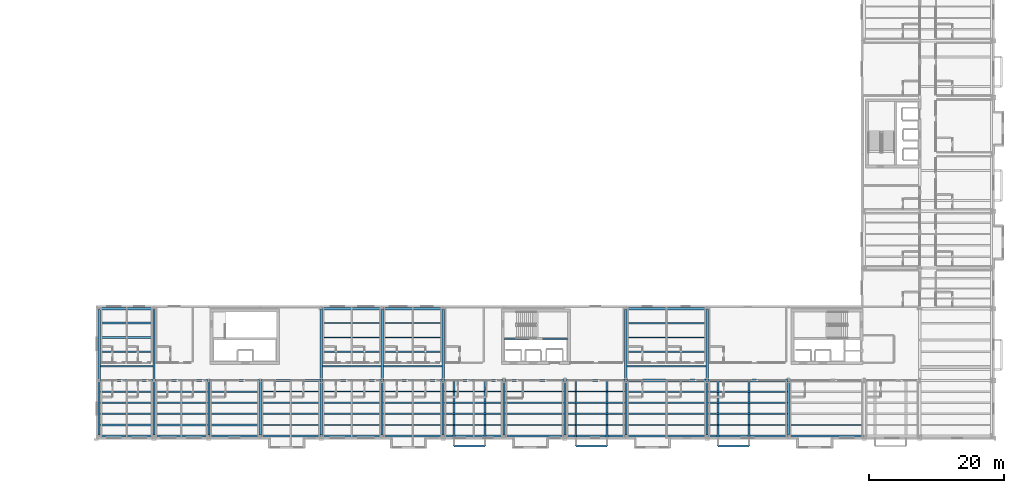
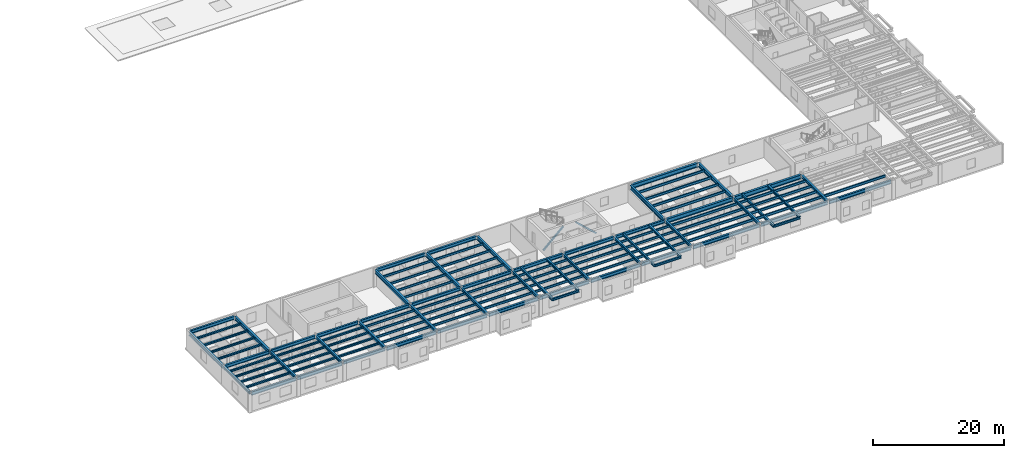
# One storey, part 7 of 27: 116 beams, 2 members.
"""IFC4 building model written with IfcOpenShell, lengths in metres."""

from ifc_helpers import new_model, si_unit, direction, frame, origin, origin_2d, place, context, subcontext, project, spatial, hollow_rectangle, i_section, extrude, material, material_profile, profile_set, type_object, element, save


model = new_model("IFC4")

# Units and contexts
model_context = context("Model", 3, precision=1e-05, world=origin(), true_north=direction((0.0, 1.0)))
body_context = subcontext(model_context, "Body", "Model", "MODEL_VIEW")
ifc_project = project(units=[si_unit("LENGTHUNIT", "METRE"), si_unit("AREAUNIT", "SQUARE_METRE"), si_unit("VOLUMEUNIT", "CUBIC_METRE"), si_unit("PLANEANGLEUNIT", "RADIAN"), si_unit("MASSUNIT", "GRAM", prefix="KILO")], contexts=[model_context])

# Site, building, storey
site_placement = place(None, origin())
site = spatial("IfcSite", under=ifc_project, at=site_placement, CompositionType="ELEMENT")
building_placement = place(site_placement, origin())
building = spatial("IfcBuilding", under=site, at=building_placement, Name="Sollismere Congress Hotel", CompositionType="ELEMENT")
storey_placement = place(building_placement, frame((0.0, 0.0, 27.0)))
storey = spatial("IfcBuildingStorey", under=building, at=storey_placement, Name="L06", CompositionType="ELEMENT", Elevation=27.0)

# Beams
ifc_material_1 = material(Name="Steel ASTM A992 Grade 50", Category="steel")
ifc_material_profile_1 = material_profile(ifc_material_1, i_section(OverallWidth=0.281982421875, OverallDepth=0.471923828125, WebThickness=0.013671875, FlangeThickness=0.022216796875, at=origin_2d()), Name="W18X97")
ifc_profile_set_1 = profile_set([ifc_material_profile_1], Name="Steel ASTM A992 Grade 50")
beam_type_1 = type_object("IfcBeamType", Name="BM-CK18E", PredefinedType="BEAM", material=ifc_profile_set_1)
for number, where, z_axis, x_axis, name in (
    (1, (86.60009765625, 8.199951171875, 3.0791015625), (0.0, -1.0, 0.0), (1.0, 0.0, 0.0), "Beam BM-L06-3972"),
    (2, (91.199951171875, 8.199951171875, 3.0791015625), (0.0, -1.0, 0.0), (1.0, 0.0, 0.0), "Beam BM-L06-3973"),
    (3, (104.60009765625, 8.199951171875, 3.0791015625), (0.0, -1.0, 0.0), (1.0, 0.0, 0.0), "Beam BM-L06-3975"),
    (4, (109.199951171875, 8.199951171875, 3.0791015625), (0.0, -1.0, 0.0), (1.0, 0.0, 0.0), "Beam BM-L06-3976"),
    (5, (125.60009765625, 8.199951171875, 3.0791015625), (0.0, -1.0, 0.0), (1.0, 0.0, 0.0), "Beam BM-L06-3978"),
    (6, (130.199951171875, 8.199951171875, 3.0791015625), (0.0, -1.0, 0.0), (1.0, 0.0, 0.0), "Beam BM-L06-3979"),
):
    element("IfcBeam", number, at=place(storey_placement, frame(where, z_axis=z_axis, x_axis=x_axis)), inside=storey, type_object=beam_type_1, Name=name, PredefinedType="BEAM", context=body_context, shape_type="SweptSolid", body=[
        extrude(i_section(OverallWidth=0.281982421875, OverallDepth=0.471923828125, WebThickness=0.013671875, FlangeThickness=0.022216796875, at=origin_2d()), origin(), (0.0, 0.0, 1.0), 9.68994140625),
    ])
ifc_material_profile_2 = material_profile(ifc_material_1, i_section(OverallWidth=0.31494140625, OverallDepth=0.551025390625, WebThickness=0.01513671875, FlangeThickness=0.0244140625, at=origin_2d()), Name="W21X122")
ifc_profile_set_2 = profile_set([ifc_material_profile_2], Name="Steel ASTM A992 Grade 50")
beam_type_2 = type_object("IfcBeamType", Name="BM-G21H", PredefinedType="BEAM", material=ifc_profile_set_2)
for number, where, z_axis, x_axis, name in (
    (7, (34.199951171875, 0.139892578125, 3.03955078125), (0.0, 1.0, 0.0), (-1.0, 0.0, 0.0), "Beam BM-L06-3144"),
    (8, (42.300048828125, 0.139892578125, 3.03955078125), (0.0, 1.0, 0.0), (-1.0, 0.0, 0.0), "Beam BM-L06-3146"),
    (9, (50.39990234375, 0.139892578125, 3.03955078125), (0.0, 1.0, 0.0), (-1.0, 0.0, 0.0), "Beam BM-L06-3148"),
    (10, (58.0, 0.139892578125, 3.03955078125), (0.0, 1.0, 0.0), (-1.0, 0.0, 0.0), "Beam BM-L06-3149"),
    (11, (67.0, 0.139892578125, 3.03955078125), (0.0, 1.0, 0.0), (-1.0, 0.0, 0.0), "Beam BM-L06-3150"),
    (12, (76.0, 0.139892578125, 3.03955078125), (0.0, 1.0, 0.0), (-1.0, 0.0, 0.0), "Beam BM-L06-3152"),
    (13, (85.0, 0.139892578125, 3.03955078125), (0.0, 1.0, 0.0), (-1.0, 0.0, 0.0), "Beam BM-L06-3154"),
    (14, (94.0, 0.139892578125, 3.03955078125), (0.0, 1.0, 0.0), (-1.0, 0.0, 0.0), "Beam BM-L06-3156"),
    (15, (103.0, 0.139892578125, 3.03955078125), (0.0, 1.0, 0.0), (-1.0, 0.0, 0.0), "Beam BM-L06-3157"),
    (16, (112.0, 0.139892578125, 3.03955078125), (0.0, 1.0, 0.0), (-1.0, 0.0, 0.0), "Beam BM-L06-3158"),
    (17, (124.0, 0.139892578125, 3.03955078125), (0.0, 1.0, 0.0), (-1.0, 0.0, 0.0), "Beam BM-L06-3160"),
    (18, (136.0, 0.139892578125, 3.03955078125), (0.0, 1.0, 0.0), (-1.0, 0.0, 0.0), "Beam BM-L06-3162"),
):
    element("IfcBeam", number, at=place(storey_placement, frame(where, z_axis=z_axis, x_axis=x_axis)), inside=storey, type_object=beam_type_2, Name=name, PredefinedType="BEAM", context=body_context, shape_type="SweptSolid", body=[
        extrude(i_section(OverallWidth=0.31494140625, OverallDepth=0.551025390625, WebThickness=0.01513671875, FlangeThickness=0.0244140625, at=origin_2d()), origin(), (0.0, 0.0, 1.0), 7.920166015625),
    ])
ifc_material_profile_3 = material_profile(ifc_material_1, i_section(OverallWidth=0.324951171875, OverallDepth=0.612060546875, WebThickness=0.0126953125, FlangeThickness=0.01904296875, at=origin_2d()), Name="W24X104")
ifc_profile_set_3 = profile_set([ifc_material_profile_3], Name="Steel ASTM A992 Grade 50")
beam_type_3 = type_object("IfcBeamType", Name="BM-G24", PredefinedType="BEAM", material=ifc_profile_set_3)
beam_1_placement = place(storey_placement, frame((34.3310546875, 8.199951171875, 3.009033203125), z_axis=(1.0, 0.0, 0.0), x_axis=(0.0, 1.0, 0.0)))
element("IfcBeam", 19, at=beam_1_placement, inside=storey, type_object=beam_type_3, Name="Beam BM-L06-3117", PredefinedType="BEAM", context=body_context, shape_type="SweptSolid", body=[
    extrude(i_section(OverallWidth=0.324951171875, OverallDepth=0.612060546875, WebThickness=0.0126953125, FlangeThickness=0.01904296875, at=origin_2d()), origin(), (0.0, 0.0, 1.0), 7.837890625),
])
beam_2_placement = place(storey_placement, frame((42.430908203125, 8.199951171875, 3.009033203125), z_axis=(1.0, 0.0, 0.0), x_axis=(0.0, 1.0, 0.0)))
element("IfcBeam", 20, at=beam_2_placement, inside=storey, type_object=beam_type_3, Name="Beam BM-L06-3118", PredefinedType="BEAM", context=body_context, shape_type="SweptSolid", body=[
    extrude(i_section(OverallWidth=0.324951171875, OverallDepth=0.612060546875, WebThickness=0.0126953125, FlangeThickness=0.01904296875, at=origin_2d()), origin(), (0.0, 0.0, 1.0), 7.838134765625),
])
beam_3_placement = place(storey_placement, frame((50.531005859375, 8.199951171875, 3.009033203125), z_axis=(1.0, 0.0, 0.0), x_axis=(0.0, 1.0, 0.0)))
element("IfcBeam", 21, at=beam_3_placement, inside=storey, type_object=beam_type_3, Name="Beam BM-L06-3119", PredefinedType="BEAM", context=body_context, shape_type="SweptSolid", body=[
    extrude(i_section(OverallWidth=0.324951171875, OverallDepth=0.612060546875, WebThickness=0.0126953125, FlangeThickness=0.01904296875, at=origin_2d()), origin(), (0.0, 0.0, 1.0), 7.337890625),
])
beam_4_placement = place(storey_placement, frame((58.131103515625, 8.199951171875, 3.009033203125), z_axis=(1.0, 0.0, 0.0), x_axis=(0.0, 1.0, 0.0)))
element("IfcBeam", 22, at=beam_4_placement, inside=storey, type_object=beam_type_3, Name="Beam BM-L06-3120", PredefinedType="BEAM", context=body_context, shape_type="SweptSolid", body=[
    extrude(i_section(OverallWidth=0.324951171875, OverallDepth=0.612060546875, WebThickness=0.0126953125, FlangeThickness=0.01904296875, at=origin_2d()), origin(), (0.0, 0.0, 1.0), 8.72900390625),
])
for number, where, z_axis, x_axis, name in (
    (23, (67.139892578125, 8.199951171875, 3.009033203125), (1.0, 0.0, 0.0), (0.0, 1.0, 0.0), "Beam BM-L06-3121"),
    (24, (76.139892578125, 8.199951171875, 3.009033203125), (1.0, 0.0, 0.0), (0.0, 1.0, 0.0), "Beam BM-L06-3122"),
    (25, (85.139892578125, 8.199951171875, 3.009033203125), (1.0, 0.0, 0.0), (0.0, 1.0, 0.0), "Beam BM-L06-3123"),
    (26, (94.139892578125, 8.199951171875, 3.009033203125), (1.0, 0.0, 0.0), (0.0, 1.0, 0.0), "Beam BM-L06-3124"),
    (27, (103.139892578125, 8.199951171875, 3.009033203125), (1.0, 0.0, 0.0), (0.0, 1.0, 0.0), "Beam BM-L06-3125"),
):
    element("IfcBeam", number, at=place(storey_placement, frame(where, z_axis=z_axis, x_axis=x_axis)), inside=storey, type_object=beam_type_3, Name=name, PredefinedType="BEAM", context=body_context, shape_type="SweptSolid", body=[
        extrude(i_section(OverallWidth=0.324951171875, OverallDepth=0.612060546875, WebThickness=0.0126953125, FlangeThickness=0.01904296875, at=origin_2d()), origin(), (0.0, 0.0, 1.0), 8.72021484375),
    ])
beam_5_placement = place(storey_placement, frame((34.3310546875, 18.800048828125, 3.009033203125), z_axis=(1.0, 0.0, 0.0), x_axis=(0.0, 1.0, 0.0)))
element("IfcBeam", 28, at=beam_5_placement, inside=storey, type_object=beam_type_3, Name="Beam BM-L06-3131", PredefinedType="BEAM", context=body_context, shape_type="SweptSolid", body=[
    extrude(i_section(OverallWidth=0.324951171875, OverallDepth=0.612060546875, WebThickness=0.0126953125, FlangeThickness=0.01904296875, at=origin_2d()), origin(), (0.0, 0.0, 1.0), 7.837890625),
])
for number, where, z_axis, x_axis, name in (
    (29, (67.139892578125, 18.800048828125, 3.009033203125), (1.0, 0.0, 0.0), (0.0, 1.0, 0.0), "Beam BM-L06-3132"),
    (30, (76.139892578125, 18.800048828125, 3.009033203125), (1.0, 0.0, 0.0), (0.0, 1.0, 0.0), "Beam BM-L06-3133"),
):
    element("IfcBeam", number, at=place(storey_placement, frame(where, z_axis=z_axis, x_axis=x_axis)), inside=storey, type_object=beam_type_3, Name=name, PredefinedType="BEAM", context=body_context, shape_type="SweptSolid", body=[
        extrude(i_section(OverallWidth=0.324951171875, OverallDepth=0.612060546875, WebThickness=0.0126953125, FlangeThickness=0.01904296875, at=origin_2d()), origin(), (0.0, 0.0, 1.0), 8.72021484375),
    ])
ifc_material_profile_4 = material_profile(ifc_material_1, i_section(OverallWidth=0.35595703125, OverallDepth=0.696044921875, WebThickness=0.015380859375, FlangeThickness=0.025146484375, at=origin_2d()), Name="W27X146")
ifc_profile_set_4 = profile_set([ifc_material_profile_4], Name="Steel ASTM A992 Grade 50")
beam_type_4 = type_object("IfcBeamType", Name="BM-G27", PredefinedType="BEAM", material=ifc_profile_set_4)
for number, where, z_axis, x_axis, name in (
    (31, (34.199951171875, 8.340087890625, 2.967041015625), (0.0, 1.0, 0.0), (-1.0, 0.0, 0.0), "Beam BM-L06-3145"),
    (32, (42.300048828125, 8.340087890625, 2.967041015625), (0.0, 1.0, 0.0), (-1.0, 0.0, 0.0), "Beam BM-L06-3147"),
    (33, (67.0, 8.340087890625, 2.967041015625), (0.0, 1.0, 0.0), (-1.0, 0.0, 0.0), "Beam BM-L06-3151"),
    (34, (76.0, 8.340087890625, 2.967041015625), (0.0, 1.0, 0.0), (-1.0, 0.0, 0.0), "Beam BM-L06-3153"),
    (35, (85.0, 8.340087890625, 2.967041015625), (0.0, 1.0, 0.0), (-1.0, 0.0, 0.0), "Beam BM-L06-3155"),
    (36, (112.0, 8.340087890625, 2.967041015625), (0.0, 1.0, 0.0), (-1.0, 0.0, 0.0), "Beam BM-L06-3159"),
    (37, (124.0, 8.340087890625, 2.967041015625), (0.0, 1.0, 0.0), (-1.0, 0.0, 0.0), "Beam BM-L06-3161"),
):
    element("IfcBeam", number, at=place(storey_placement, frame(where, z_axis=z_axis, x_axis=x_axis)), inside=storey, type_object=beam_type_4, Name=name, PredefinedType="BEAM", context=body_context, shape_type="SweptSolid", body=[
        extrude(i_section(OverallWidth=0.35595703125, OverallDepth=0.696044921875, WebThickness=0.015380859375, FlangeThickness=0.025146484375, at=origin_2d()), origin(), (0.0, 0.0, 1.0), 10.31982421875),
    ])
ifc_material_profile_5 = material_profile(ifc_material_1, i_section(OverallWidth=0.384033203125, OverallDepth=0.787109375, WebThickness=0.019775390625, FlangeThickness=0.033447265625, at=origin_2d()), Name="W30X211")
ifc_profile_set_5 = profile_set([ifc_material_profile_5], Name="Steel ASTM A992 Grade 50")
beam_type_5 = type_object("IfcBeamType", Name="BM-G30", PredefinedType="BEAM", material=ifc_profile_set_5)
for number, where, z_axis, x_axis, name in (
    (38, (112.139892578125, 8.199951171875, 2.92138671875), (1.0, 0.0, 0.0), (0.0, 1.0, 0.0), "Beam BM-L06-3126"),
    (39, (124.139892578125, 8.199951171875, 2.92138671875), (1.0, 0.0, 0.0), (0.0, 1.0, 0.0), "Beam BM-L06-3127"),
    (40, (112.139892578125, 18.800048828125, 2.92138671875), (1.0, 0.0, 0.0), (0.0, 1.0, 0.0), "Beam BM-L06-3134"),
):
    element("IfcBeam", number, at=place(storey_placement, frame(where, z_axis=z_axis, x_axis=x_axis)), inside=storey, type_object=beam_type_5, Name=name, PredefinedType="BEAM", context=body_context, shape_type="SweptSolid", body=[
        extrude(i_section(OverallWidth=0.384033203125, OverallDepth=0.787109375, WebThickness=0.019775390625, FlangeThickness=0.033447265625, at=origin_2d()), origin(), (0.0, 0.0, 1.0), 11.72021484375),
    ])
ifc_material_profile_6 = material_profile(ifc_material_1, i_section(OverallWidth=0.25390625, OverallDepth=0.35595703125, WebThickness=0.010498046875, FlangeThickness=0.018310546875, at=origin_2d()), Name="W14X68")
ifc_profile_set_6 = profile_set([ifc_material_profile_6], Name="Steel ASTM A992 Grade 50")
beam_type_6 = type_object("IfcBeamType", Name="BM-J14", PredefinedType="JOIST", material=ifc_profile_set_6)
for number, where, z_axis, x_axis, name in (
    (41, (34.357421875, 1.639892578125, 3.136962890625), (1.0, 0.0, 0.0), (0.0, 1.0, 0.0), "Beam BM-L06-3179"),
    (42, (34.357421875, 3.280029296875, 3.136962890625), (1.0, 0.0, 0.0), (0.0, 1.0, 0.0), "Beam BM-L06-3180"),
    (43, (34.357421875, 4.919921875, 3.136962890625), (1.0, 0.0, 0.0), (0.0, 1.0, 0.0), "Beam BM-L06-3181"),
    (44, (34.357421875, 6.56005859375, 3.136962890625), (1.0, 0.0, 0.0), (0.0, 1.0, 0.0), "Beam BM-L06-3182"),
):
    element("IfcBeam", number, at=place(storey_placement, frame(where, z_axis=z_axis, x_axis=x_axis)), inside=storey, type_object=beam_type_6, Name=name, PredefinedType="JOIST", context=body_context, shape_type="SweptSolid", body=[
        extrude(i_section(OverallWidth=0.25390625, OverallDepth=0.35595703125, WebThickness=0.010498046875, FlangeThickness=0.018310546875, at=origin_2d()), origin(), (0.0, 0.0, 1.0), 7.78515625),
    ])
for number, where, z_axis, x_axis, name in (
    (45, (34.3779296875, 10.320068359375, 3.136962890625), (1.0, 0.0, 0.0), (0.0, 1.0, 0.0), "Beam BM-L06-3183"),
    (46, (34.3779296875, 12.43994140625, 3.136962890625), (1.0, 0.0, 0.0), (0.0, 1.0, 0.0), "Beam BM-L06-3184"),
    (47, (34.3779296875, 14.56005859375, 3.136962890625), (1.0, 0.0, 0.0), (0.0, 1.0, 0.0), "Beam BM-L06-3185"),
    (48, (34.3779296875, 16.679931640625, 3.136962890625), (1.0, 0.0, 0.0), (0.0, 1.0, 0.0), "Beam BM-L06-3186"),
):
    element("IfcBeam", number, at=place(storey_placement, frame(where, z_axis=z_axis, x_axis=x_axis)), inside=storey, type_object=beam_type_6, Name=name, PredefinedType="JOIST", context=body_context, shape_type="SweptSolid", body=[
        extrude(i_section(OverallWidth=0.25390625, OverallDepth=0.35595703125, WebThickness=0.010498046875, FlangeThickness=0.018310546875, at=origin_2d()), origin(), (0.0, 0.0, 1.0), 7.744140625),
    ])
for number, where, z_axis, x_axis, name in (
    (49, (42.45751953125, 1.639892578125, 3.136962890625), (1.0, 0.0, 0.0), (0.0, 1.0, 0.0), "Beam BM-L06-3187"),
    (50, (42.45751953125, 3.280029296875, 3.136962890625), (1.0, 0.0, 0.0), (0.0, 1.0, 0.0), "Beam BM-L06-3188"),
    (51, (42.45751953125, 4.919921875, 3.136962890625), (1.0, 0.0, 0.0), (0.0, 1.0, 0.0), "Beam BM-L06-3189"),
    (52, (42.45751953125, 6.56005859375, 3.136962890625), (1.0, 0.0, 0.0), (0.0, 1.0, 0.0), "Beam BM-L06-3190"),
):
    element("IfcBeam", number, at=place(storey_placement, frame(where, z_axis=z_axis, x_axis=x_axis)), inside=storey, type_object=beam_type_6, Name=name, PredefinedType="JOIST", context=body_context, shape_type="SweptSolid", body=[
        extrude(i_section(OverallWidth=0.25390625, OverallDepth=0.35595703125, WebThickness=0.010498046875, FlangeThickness=0.018310546875, at=origin_2d()), origin(), (0.0, 0.0, 1.0), 7.784912109375),
    ])
for number, where, z_axis, x_axis, name in (
    (53, (50.5576171875, 1.639892578125, 3.136962890625), (1.0, 0.0, 0.0), (0.0, 1.0, 0.0), "Beam BM-L06-3191"),
    (54, (50.5576171875, 3.280029296875, 3.136962890625), (1.0, 0.0, 0.0), (0.0, 1.0, 0.0), "Beam BM-L06-3192"),
    (55, (50.5576171875, 4.919921875, 3.136962890625), (1.0, 0.0, 0.0), (0.0, 1.0, 0.0), "Beam BM-L06-3193"),
    (56, (50.5576171875, 6.56005859375, 3.136962890625), (1.0, 0.0, 0.0), (0.0, 1.0, 0.0), "Beam BM-L06-3194"),
):
    element("IfcBeam", number, at=place(storey_placement, frame(where, z_axis=z_axis, x_axis=x_axis)), inside=storey, type_object=beam_type_6, Name=name, PredefinedType="JOIST", context=body_context, shape_type="SweptSolid", body=[
        extrude(i_section(OverallWidth=0.25390625, OverallDepth=0.35595703125, WebThickness=0.010498046875, FlangeThickness=0.018310546875, at=origin_2d()), origin(), (0.0, 0.0, 1.0), 7.284912109375),
    ])
ifc_material_profile_7 = material_profile(ifc_material_1, i_section(OverallWidth=0.180908203125, OverallDepth=0.4169921875, WebThickness=0.010986328125, FlangeThickness=0.018310546875, at=origin_2d()), Name="W16X57")
ifc_profile_set_7 = profile_set([ifc_material_profile_7], Name="Steel ASTM A992 Grade 50")
beam_type_7 = type_object("IfcBeamType", Name="BM-J16", PredefinedType="JOIST", material=ifc_profile_set_7)
for number, where, z_axis, x_axis, name in (
    (57, (58.157470703125, 1.639892578125, 3.1064453125), (1.0, 0.0, 0.0), (0.0, 1.0, 0.0), "Beam BM-L06-3195"),
    (58, (58.157470703125, 3.280029296875, 3.1064453125), (1.0, 0.0, 0.0), (0.0, 1.0, 0.0), "Beam BM-L06-3196"),
    (59, (58.157470703125, 4.919921875, 3.1064453125), (1.0, 0.0, 0.0), (0.0, 1.0, 0.0), "Beam BM-L06-3197"),
    (60, (58.157470703125, 6.56005859375, 3.1064453125), (1.0, 0.0, 0.0), (0.0, 1.0, 0.0), "Beam BM-L06-3198"),
    (61, (67.157470703125, 1.639892578125, 3.1064453125), (1.0, 0.0, 0.0), (0.0, 1.0, 0.0), "Beam BM-L06-3199"),
    (62, (67.157470703125, 3.280029296875, 3.1064453125), (1.0, 0.0, 0.0), (0.0, 1.0, 0.0), "Beam BM-L06-3200"),
    (63, (67.157470703125, 4.919921875, 3.1064453125), (1.0, 0.0, 0.0), (0.0, 1.0, 0.0), "Beam BM-L06-3201"),
    (64, (67.157470703125, 6.56005859375, 3.1064453125), (1.0, 0.0, 0.0), (0.0, 1.0, 0.0), "Beam BM-L06-3202"),
):
    element("IfcBeam", number, at=place(storey_placement, frame(where, z_axis=z_axis, x_axis=x_axis)), inside=storey, type_object=beam_type_7, Name=name, PredefinedType="JOIST", context=body_context, shape_type="SweptSolid", body=[
        extrude(i_section(OverallWidth=0.180908203125, OverallDepth=0.4169921875, WebThickness=0.010986328125, FlangeThickness=0.018310546875, at=origin_2d()), origin(), (0.0, 0.0, 1.0), 8.68505859375),
    ])
for number, where, z_axis, x_axis, name in (
    (65, (67.177978515625, 10.320068359375, 3.1064453125), (1.0, 0.0, 0.0), (0.0, 1.0, 0.0), "Beam BM-L06-3203"),
    (66, (67.177978515625, 12.43994140625, 3.1064453125), (1.0, 0.0, 0.0), (0.0, 1.0, 0.0), "Beam BM-L06-3204"),
    (67, (67.177978515625, 14.56005859375, 3.1064453125), (1.0, 0.0, 0.0), (0.0, 1.0, 0.0), "Beam BM-L06-3205"),
    (68, (67.177978515625, 16.679931640625, 3.1064453125), (1.0, 0.0, 0.0), (0.0, 1.0, 0.0), "Beam BM-L06-3206"),
):
    element("IfcBeam", number, at=place(storey_placement, frame(where, z_axis=z_axis, x_axis=x_axis)), inside=storey, type_object=beam_type_7, Name=name, PredefinedType="JOIST", context=body_context, shape_type="SweptSolid", body=[
        extrude(i_section(OverallWidth=0.180908203125, OverallDepth=0.4169921875, WebThickness=0.010986328125, FlangeThickness=0.018310546875, at=origin_2d()), origin(), (0.0, 0.0, 1.0), 8.64404296875),
    ])
for number, where, z_axis, x_axis, name in (
    (69, (76.157470703125, 1.639892578125, 3.1064453125), (1.0, 0.0, 0.0), (0.0, 1.0, 0.0), "Beam BM-L06-3207"),
    (70, (76.157470703125, 3.280029296875, 3.1064453125), (1.0, 0.0, 0.0), (0.0, 1.0, 0.0), "Beam BM-L06-3208"),
    (71, (76.157470703125, 4.919921875, 3.1064453125), (1.0, 0.0, 0.0), (0.0, 1.0, 0.0), "Beam BM-L06-3209"),
    (72, (76.157470703125, 6.56005859375, 3.1064453125), (1.0, 0.0, 0.0), (0.0, 1.0, 0.0), "Beam BM-L06-3210"),
):
    element("IfcBeam", number, at=place(storey_placement, frame(where, z_axis=z_axis, x_axis=x_axis)), inside=storey, type_object=beam_type_7, Name=name, PredefinedType="JOIST", context=body_context, shape_type="SweptSolid", body=[
        extrude(i_section(OverallWidth=0.180908203125, OverallDepth=0.4169921875, WebThickness=0.010986328125, FlangeThickness=0.018310546875, at=origin_2d()), origin(), (0.0, 0.0, 1.0), 8.68505859375),
    ])
for number, where, z_axis, x_axis, name in (
    (73, (76.177978515625, 10.320068359375, 3.1064453125), (1.0, 0.0, 0.0), (0.0, 1.0, 0.0), "Beam BM-L06-3211"),
    (74, (76.177978515625, 12.43994140625, 3.1064453125), (1.0, 0.0, 0.0), (0.0, 1.0, 0.0), "Beam BM-L06-3212"),
    (75, (76.177978515625, 14.56005859375, 3.1064453125), (1.0, 0.0, 0.0), (0.0, 1.0, 0.0), "Beam BM-L06-3213"),
    (76, (76.177978515625, 16.679931640625, 3.1064453125), (1.0, 0.0, 0.0), (0.0, 1.0, 0.0), "Beam BM-L06-3214"),
):
    element("IfcBeam", number, at=place(storey_placement, frame(where, z_axis=z_axis, x_axis=x_axis)), inside=storey, type_object=beam_type_7, Name=name, PredefinedType="JOIST", context=body_context, shape_type="SweptSolid", body=[
        extrude(i_section(OverallWidth=0.180908203125, OverallDepth=0.4169921875, WebThickness=0.010986328125, FlangeThickness=0.018310546875, at=origin_2d()), origin(), (0.0, 0.0, 1.0), 8.64404296875),
    ])
for number, where, z_axis, x_axis, name in (
    (77, (85.157470703125, 1.639892578125, 3.1064453125), (1.0, 0.0, 0.0), (0.0, 1.0, 0.0), "Beam BM-L06-3215"),
    (78, (85.157470703125, 3.280029296875, 3.1064453125), (1.0, 0.0, 0.0), (0.0, 1.0, 0.0), "Beam BM-L06-3216"),
    (79, (85.157470703125, 4.919921875, 3.1064453125), (1.0, 0.0, 0.0), (0.0, 1.0, 0.0), "Beam BM-L06-3217"),
    (80, (85.157470703125, 6.56005859375, 3.1064453125), (1.0, 0.0, 0.0), (0.0, 1.0, 0.0), "Beam BM-L06-3218"),
    (81, (94.157470703125, 1.639892578125, 3.1064453125), (1.0, 0.0, 0.0), (0.0, 1.0, 0.0), "Beam BM-L06-3219"),
    (82, (94.157470703125, 3.280029296875, 3.1064453125), (1.0, 0.0, 0.0), (0.0, 1.0, 0.0), "Beam BM-L06-3220"),
    (83, (94.157470703125, 4.919921875, 3.1064453125), (1.0, 0.0, 0.0), (0.0, 1.0, 0.0), "Beam BM-L06-3221"),
    (84, (94.157470703125, 6.56005859375, 3.1064453125), (1.0, 0.0, 0.0), (0.0, 1.0, 0.0), "Beam BM-L06-3222"),
    (85, (103.157470703125, 1.639892578125, 3.1064453125), (1.0, 0.0, 0.0), (0.0, 1.0, 0.0), "Beam BM-L06-3223"),
    (86, (103.157470703125, 3.280029296875, 3.1064453125), (1.0, 0.0, 0.0), (0.0, 1.0, 0.0), "Beam BM-L06-3224"),
    (87, (103.157470703125, 4.919921875, 3.1064453125), (1.0, 0.0, 0.0), (0.0, 1.0, 0.0), "Beam BM-L06-3225"),
    (88, (103.157470703125, 6.56005859375, 3.1064453125), (1.0, 0.0, 0.0), (0.0, 1.0, 0.0), "Beam BM-L06-3226"),
):
    element("IfcBeam", number, at=place(storey_placement, frame(where, z_axis=z_axis, x_axis=x_axis)), inside=storey, type_object=beam_type_7, Name=name, PredefinedType="JOIST", context=body_context, shape_type="SweptSolid", body=[
        extrude(i_section(OverallWidth=0.180908203125, OverallDepth=0.4169921875, WebThickness=0.010986328125, FlangeThickness=0.018310546875, at=origin_2d()), origin(), (0.0, 0.0, 1.0), 8.68505859375),
    ])
ifc_material_profile_8 = material_profile(ifc_material_1, i_section(OverallWidth=0.193115234375, OverallDepth=0.467041015625, WebThickness=0.011474609375, FlangeThickness=0.01904296875, at=origin_2d()), Name="W18X65")
ifc_profile_set_8 = profile_set([ifc_material_profile_8], Name="Steel ASTM A992 Grade 50")
beam_type_8 = type_object("IfcBeamType", Name="BM-J18", PredefinedType="JOIST", material=ifc_profile_set_8)
for number, where, z_axis, x_axis, name in (
    (89, (112.157470703125, 1.639892578125, 3.08154296875), (1.0, 0.0, 0.0), (0.0, 1.0, 0.0), "Beam BM-L06-3227"),
    (90, (112.157470703125, 3.280029296875, 3.08154296875), (1.0, 0.0, 0.0), (0.0, 1.0, 0.0), "Beam BM-L06-3228"),
    (91, (112.157470703125, 4.919921875, 3.08154296875), (1.0, 0.0, 0.0), (0.0, 1.0, 0.0), "Beam BM-L06-3229"),
    (92, (112.157470703125, 6.56005859375, 3.08154296875), (1.0, 0.0, 0.0), (0.0, 1.0, 0.0), "Beam BM-L06-3230"),
):
    element("IfcBeam", number, at=place(storey_placement, frame(where, z_axis=z_axis, x_axis=x_axis)), inside=storey, type_object=beam_type_8, Name=name, PredefinedType="JOIST", context=body_context, shape_type="SweptSolid", body=[
        extrude(i_section(OverallWidth=0.193115234375, OverallDepth=0.467041015625, WebThickness=0.011474609375, FlangeThickness=0.01904296875, at=origin_2d()), origin(), (0.0, 0.0, 1.0), 11.68505859375),
    ])
for number, where, z_axis, x_axis, name in (
    (93, (112.177978515625, 10.320068359375, 3.08154296875), (1.0, 0.0, 0.0), (0.0, 1.0, 0.0), "Beam BM-L06-3231"),
    (94, (112.177978515625, 12.43994140625, 3.08154296875), (1.0, 0.0, 0.0), (0.0, 1.0, 0.0), "Beam BM-L06-3232"),
    (95, (112.177978515625, 14.56005859375, 3.08154296875), (1.0, 0.0, 0.0), (0.0, 1.0, 0.0), "Beam BM-L06-3233"),
    (96, (112.177978515625, 16.679931640625, 3.08154296875), (1.0, 0.0, 0.0), (0.0, 1.0, 0.0), "Beam BM-L06-3234"),
):
    element("IfcBeam", number, at=place(storey_placement, frame(where, z_axis=z_axis, x_axis=x_axis)), inside=storey, type_object=beam_type_8, Name=name, PredefinedType="JOIST", context=body_context, shape_type="SweptSolid", body=[
        extrude(i_section(OverallWidth=0.193115234375, OverallDepth=0.467041015625, WebThickness=0.011474609375, FlangeThickness=0.01904296875, at=origin_2d()), origin(), (0.0, 0.0, 1.0), 11.64404296875),
    ])
for number, where, z_axis, x_axis, name in (
    (97, (124.157470703125, 1.639892578125, 3.08154296875), (1.0, 0.0, 0.0), (0.0, 1.0, 0.0), "Beam BM-L06-3235"),
    (98, (124.157470703125, 3.280029296875, 3.08154296875), (1.0, 0.0, 0.0), (0.0, 1.0, 0.0), "Beam BM-L06-3236"),
    (99, (124.157470703125, 4.919921875, 3.08154296875), (1.0, 0.0, 0.0), (0.0, 1.0, 0.0), "Beam BM-L06-3237"),
    (100, (124.157470703125, 6.56005859375, 3.08154296875), (1.0, 0.0, 0.0), (0.0, 1.0, 0.0), "Beam BM-L06-3238"),
):
    element("IfcBeam", number, at=place(storey_placement, frame(where, z_axis=z_axis, x_axis=x_axis)), inside=storey, type_object=beam_type_8, Name=name, PredefinedType="JOIST", context=body_context, shape_type="SweptSolid", body=[
        extrude(i_section(OverallWidth=0.193115234375, OverallDepth=0.467041015625, WebThickness=0.011474609375, FlangeThickness=0.01904296875, at=origin_2d()), origin(), (0.0, 0.0, 1.0), 11.68505859375),
    ])
beam_6_placement = place(storey_placement, frame((136.157470703125, 1.639892578125, 3.08154296875), z_axis=(1.0, 0.0, 0.0), x_axis=(0.0, 1.0, 0.0)))
element("IfcBeam", 101, at=beam_6_placement, inside=storey, type_object=beam_type_8, Name="Beam BM-L06-3239", PredefinedType="JOIST", context=body_context, shape_type="SweptSolid", body=[
    extrude(i_section(OverallWidth=0.193115234375, OverallDepth=0.467041015625, WebThickness=0.011474609375, FlangeThickness=0.01904296875, at=origin_2d()), origin(), (0.0, 0.0, 1.0), 10.885009765625),
])
ifc_material_profile_9 = material_profile(ifc_material_1, i_section(OverallWidth=0.261962890625, OverallDepth=0.4189453125, WebThickness=0.01171875, FlangeThickness=0.019287109375, at=origin_2d()), Name="W16X77")
ifc_profile_set_9 = profile_set([ifc_material_profile_9], Name="Steel ASTM A992 Grade 50")
beam_type_9 = type_object("IfcBeamType", Name="BM-LN16E", PredefinedType="LINTEL", material=ifc_profile_set_9)
for number, where, z_axis, x_axis, name in (
    (102, (86.60009765625, -1.489990234375, 3.10546875), (1.0, 0.0, 0.0), (0.0, 1.0, 0.0), "Beam BM-L06-3974"),
    (103, (104.60009765625, -1.489990234375, 3.10546875), (1.0, 0.0, 0.0), (0.0, 1.0, 0.0), "Beam BM-L06-3977"),
    (104, (125.60009765625, -1.489990234375, 3.10546875), (1.0, 0.0, 0.0), (0.0, 1.0, 0.0), "Beam BM-L06-3980"),
):
    element("IfcBeam", number, at=place(storey_placement, frame(where, z_axis=z_axis, x_axis=x_axis)), inside=storey, type_object=beam_type_9, Name=name, PredefinedType="LINTEL", context=body_context, shape_type="SweptSolid", body=[
        extrude(i_section(OverallWidth=0.261962890625, OverallDepth=0.4189453125, WebThickness=0.01171875, FlangeThickness=0.019287109375, at=origin_2d()), origin(), (0.0, 0.0, 1.0), 4.599853515625),
    ])
ifc_material_profile_10 = material_profile(ifc_material_1, i_section(OverallWidth=0.31494140625, OverallDepth=0.551025390625, WebThickness=0.01513671875, FlangeThickness=0.0244140625, at=origin_2d()), Name="W21X122")
ifc_profile_set_10 = profile_set([ifc_material_profile_10], Name="Steel ASTM A992 Grade 50")
beam_type_10 = type_object("IfcBeamType", Name="BM-SP21E", PredefinedType="SPANDREL", material=ifc_profile_set_10)
beam_7_placement = place(storey_placement, frame((50.531005859375, 0.0, 3.03955078125), z_axis=(1.0, 0.0, 0.0), x_axis=(0.0, 1.0, 0.0)))
element("IfcBeam", 105, at=beam_7_placement, inside=storey, type_object=beam_type_10, Name="Beam BM-L06-3105", PredefinedType="SPANDREL", context=body_context, shape_type="SweptSolid", body=[
    extrude(i_section(OverallWidth=0.31494140625, OverallDepth=0.551025390625, WebThickness=0.01513671875, FlangeThickness=0.0244140625, at=origin_2d()), origin(), (0.0, 0.0, 1.0), 7.337890625),
])
ifc_material_profile_11 = material_profile(ifc_material_1, i_section(OverallWidth=0.330078125, OverallDepth=0.635009765625, WebThickness=0.017822265625, FlangeThickness=0.031005859375, at=origin_2d()), Name="W24X162")
ifc_profile_set_11 = profile_set([ifc_material_profile_11], Name="Steel ASTM A992 Grade 50")
beam_type_11 = type_object("IfcBeamType", Name="BM-SP24E", PredefinedType="SPANDREL", material=ifc_profile_set_11)
beam_8_placement = place(storey_placement, frame((34.3310546875, 0.0, 2.99755859375), z_axis=(1.0, 0.0, 0.0), x_axis=(0.0, 1.0, 0.0)))
element("IfcBeam", 106, at=beam_8_placement, inside=storey, type_object=beam_type_11, Name="Beam BM-L06-3103", PredefinedType="SPANDREL", context=body_context, shape_type="SweptSolid", body=[
    extrude(i_section(OverallWidth=0.330078125, OverallDepth=0.635009765625, WebThickness=0.017822265625, FlangeThickness=0.031005859375, at=origin_2d()), origin(), (0.0, 0.0, 1.0), 7.837890625),
])
beam_9_placement = place(storey_placement, frame((42.430908203125, 0.0, 2.99755859375), z_axis=(1.0, 0.0, 0.0), x_axis=(0.0, 1.0, 0.0)))
element("IfcBeam", 107, at=beam_9_placement, inside=storey, type_object=beam_type_11, Name="Beam BM-L06-3104", PredefinedType="SPANDREL", context=body_context, shape_type="SweptSolid", body=[
    extrude(i_section(OverallWidth=0.330078125, OverallDepth=0.635009765625, WebThickness=0.017822265625, FlangeThickness=0.031005859375, at=origin_2d()), origin(), (0.0, 0.0, 1.0), 7.838134765625),
])
beam_10_placement = place(storey_placement, frame((58.131103515625, 0.0, 2.99755859375), z_axis=(1.0, 0.0, 0.0), x_axis=(0.0, 1.0, 0.0)))
element("IfcBeam", 108, at=beam_10_placement, inside=storey, type_object=beam_type_11, Name="Beam BM-L06-3106", PredefinedType="SPANDREL", context=body_context, shape_type="SweptSolid", body=[
    extrude(i_section(OverallWidth=0.330078125, OverallDepth=0.635009765625, WebThickness=0.017822265625, FlangeThickness=0.031005859375, at=origin_2d()), origin(), (0.0, 0.0, 1.0), 8.72900390625),
])
for number, where, z_axis, x_axis, name in (
    (109, (67.139892578125, 0.0, 2.99755859375), (1.0, 0.0, 0.0), (0.0, 1.0, 0.0), "Beam BM-L06-3107"),
    (110, (76.139892578125, 0.0, 2.99755859375), (1.0, 0.0, 0.0), (0.0, 1.0, 0.0), "Beam BM-L06-3108"),
    (111, (85.139892578125, 0.0, 2.99755859375), (1.0, 0.0, 0.0), (0.0, 1.0, 0.0), "Beam BM-L06-3109"),
    (112, (94.139892578125, 0.0, 2.99755859375), (1.0, 0.0, 0.0), (0.0, 1.0, 0.0), "Beam BM-L06-3110"),
    (113, (103.139892578125, 0.0, 2.99755859375), (1.0, 0.0, 0.0), (0.0, 1.0, 0.0), "Beam BM-L06-3111"),
):
    element("IfcBeam", number, at=place(storey_placement, frame(where, z_axis=z_axis, x_axis=x_axis)), inside=storey, type_object=beam_type_11, Name=name, PredefinedType="SPANDREL", context=body_context, shape_type="SweptSolid", body=[
        extrude(i_section(OverallWidth=0.330078125, OverallDepth=0.635009765625, WebThickness=0.017822265625, FlangeThickness=0.031005859375, at=origin_2d()), origin(), (0.0, 0.0, 1.0), 8.72021484375),
    ])
for number, where, z_axis, x_axis, name in (
    (114, (112.139892578125, 0.0, 2.99755859375), (1.0, 0.0, 0.0), (0.0, 1.0, 0.0), "Beam BM-L06-3112"),
    (115, (124.139892578125, 0.0, 2.99755859375), (1.0, 0.0, 0.0), (0.0, 1.0, 0.0), "Beam BM-L06-3113"),
):
    element("IfcBeam", number, at=place(storey_placement, frame(where, z_axis=z_axis, x_axis=x_axis)), inside=storey, type_object=beam_type_11, Name=name, PredefinedType="SPANDREL", context=body_context, shape_type="SweptSolid", body=[
        extrude(i_section(OverallWidth=0.330078125, OverallDepth=0.635009765625, WebThickness=0.017822265625, FlangeThickness=0.031005859375, at=origin_2d()), origin(), (0.0, 0.0, 1.0), 11.72021484375),
    ])
beam_11_placement = place(storey_placement, frame((136.139892578125, 0.0, 2.99755859375), z_axis=(1.0, 0.0, 0.0), x_axis=(0.0, 1.0, 0.0)))
element("IfcBeam", 116, at=beam_11_placement, inside=storey, type_object=beam_type_11, Name="Beam BM-L06-3114", PredefinedType="SPANDREL", context=body_context, shape_type="SweptSolid", body=[
    extrude(i_section(OverallWidth=0.330078125, OverallDepth=0.635009765625, WebThickness=0.017822265625, FlangeThickness=0.031005859375, at=origin_2d()), origin(), (0.0, 0.0, 1.0), 10.920166015625),
])

# Members
ifc_material_2 = material(Name="Steel ASTM A500 Grade C", Category="steel")
ifc_material_profile_12 = material_profile(ifc_material_2, hollow_rectangle(XDim=0.25, YDim=0.25, WallThickness=0.010009765625, at=origin_2d()), Name="HSS250X250X10")
ifc_profile_set_12 = profile_set([ifc_material_profile_12], Name="Steel ASTM A500 Grade C")
member_type = type_object("IfcMemberType", Name="MB-BR250", PredefinedType="BRACE", material=ifc_profile_set_12)
for number, where, z_axis, x_axis, name in (
    (117, (94.050048828125, 14.35009765625, 0.02001953125), (0.735016581464, 0.0, 0.67804913168), (0.0, 1.0, 0.0), "BF-013 diagonal brace"),
    (118, (103.35009765625, 14.35009765625, 0.02001953125), (-0.735016581464, 0.0, 0.67804913168), (0.0, -1.0, 0.0), "BF-014 diagonal brace"),
):
    element("IfcMember", number, at=place(storey_placement, frame(where, z_axis=z_axis, x_axis=x_axis)), inside=storey, type_object=member_type, Name=name, PredefinedType="BRACE", context=body_context, shape_type="SweptSolid", body=[
        extrude(hollow_rectangle(XDim=0.25, YDim=0.25, WallThickness=0.010009765625, at=origin_2d()), origin(), (0.0, 0.0, 1.0), 4.829833984375),
    ])

save(model, "model.ifc")
